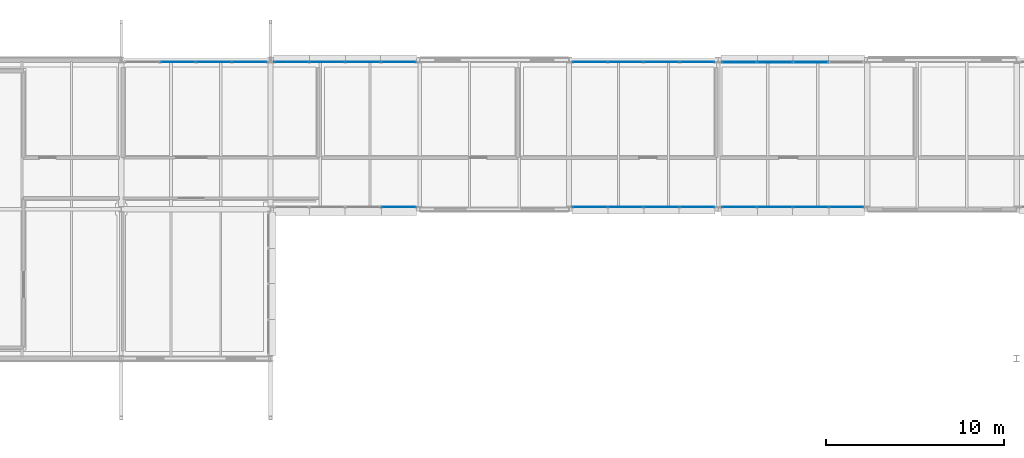
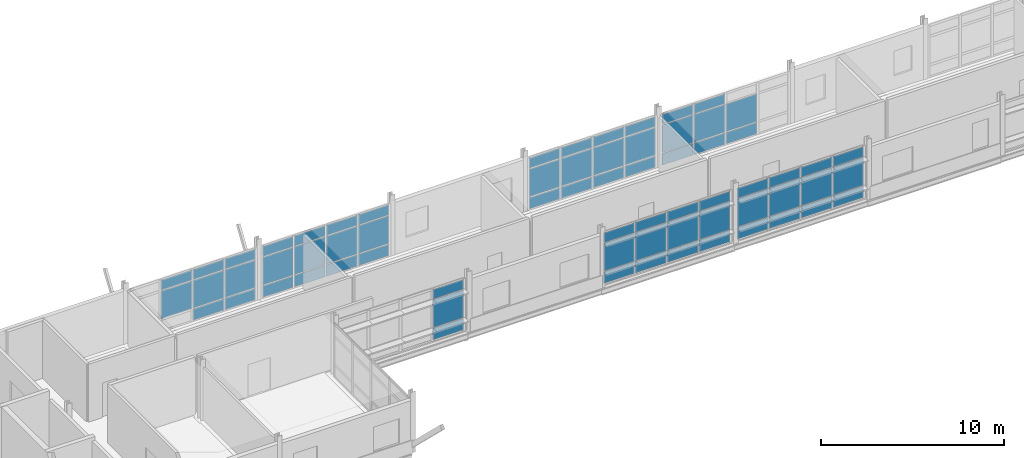
# One storey, part 42 of 57: 67 plates, 7 elements without a shape of their own.
"""IFC4 building model written with IfcOpenShell, lengths in metres."""

from ifc_helpers import new_model, si_unit, direction, frame, origin, origin_2d, place, context, subcontext, project, spatial, rectangle, extrude, material, layer, layer_set, type_object, element, aggregate, save


model = new_model("IFC4")

# Units and contexts
model_context = context("Model", 3, precision=1e-05, world=origin(), true_north=direction((0.0, 1.0)))
body_context = subcontext(model_context, "Body", "Model", "MODEL_VIEW")
ifc_project = project(units=[si_unit("LENGTHUNIT", "METRE"), si_unit("AREAUNIT", "SQUARE_METRE"), si_unit("VOLUMEUNIT", "CUBIC_METRE"), si_unit("PLANEANGLEUNIT", "RADIAN"), si_unit("MASSUNIT", "GRAM", prefix="KILO")], contexts=[model_context])

# Site, building, storey
site_placement = place(None, origin())
site = spatial("IfcSite", under=ifc_project, at=site_placement, CompositionType="ELEMENT")
building_placement = place(site_placement, origin())
building = spatial("IfcBuilding", under=site, at=building_placement, Name="Mersafa Astral City Hall", CompositionType="ELEMENT")
storey_placement = place(building_placement, frame((0.0, 0.0, 26.10009765625)))
storey = spatial("IfcBuildingStorey", under=building, at=storey_placement, Name="L06", CompositionType="ELEMENT", Elevation=26.10009765625)

# Curtain wall, plates
ifc_material_1 = material(Name="Anodised bronze aluminium framing", Category="aluminium")
curtain_wall_type_1 = type_object("IfcCurtainWallType", Name="ENV-CW-3", PredefinedType="USERDEFINED", material=ifc_material_1)
curtain_wall_1_placement = place(storey_placement, origin())
curtain_wall_1 = element("IfcCurtainWall", 1, at=curtain_wall_1_placement, inside=storey, type_object=curtain_wall_type_1, Name="L06 Unitised solar curtain wall 260", ObjectType="UNITISED CURTAIN WALL", PredefinedType="USERDEFINED")
ifc_material_2 = material(Name="Solar control low-e double glazing", Category="glass")
ifc_layer_1 = layer(ifc_material_2, 0.028076171875, Name="Solar control low-e double glazing")
ifc_layer_set_1 = layer_set([ifc_layer_1], Name="Solar control low-e double glazing — ENV-CW-PNL-GLZ-1")
plate_type_1 = type_object("IfcPlateType", Name="ENV-CW-PNL-GLZ-1", PredefinedType="CURTAIN_PANEL", material=ifc_layer_set_1)
plate_1_placement = place(storey_placement, frame((91.21337890625, 125.8798828125, 0.05810546875), z_axis=(0.0, 0.0, 1.0), x_axis=(-1.0, 0.0, 0.0)))
plate_1 = element("IfcPlate", 2, at=plate_1_placement, type_object=plate_type_1, Name="CW-3 panel 1.1", PredefinedType="CURTAIN_PANEL", context=body_context, shape_type="SweptSolid", body=[
    extrude(rectangle(XDim=1.928955078125, YDim=0.028076171875, at=origin_2d()), origin(), (0.0, 0.0, 1.0), 0.761962890625),
])
plate_2_placement = place(storey_placement, frame((91.21337890625, 125.8798828125, 0.8798828125), z_axis=(0.0, 0.0, 1.0), x_axis=(-1.0, 0.0, 0.0)))
plate_2 = element("IfcPlate", 3, at=plate_2_placement, type_object=plate_type_1, Name="CW-3 panel 1.2", PredefinedType="CURTAIN_PANEL", context=body_context, shape_type="SweptSolid", body=[
    extrude(rectangle(XDim=1.928955078125, YDim=0.028076171875, at=origin_2d()), origin(), (0.0, 0.0, 1.0), 1.840087890625),
])
plate_3_placement = place(storey_placement, frame((91.21337890625, 125.8798828125, 2.77978515625), z_axis=(0.0, 0.0, 1.0), x_axis=(-1.0, 0.0, 0.0)))
plate_3 = element("IfcPlate", 4, at=plate_3_placement, type_object=plate_type_1, Name="CW-3 panel 1.3", PredefinedType="CURTAIN_PANEL", context=body_context, shape_type="SweptSolid", body=[
    extrude(rectangle(XDim=1.928955078125, YDim=0.028076171875, at=origin_2d()), origin(), (0.0, 0.0, 1.0), 0.677001953125),
])
plate_4_placement = place(storey_placement, frame((89.20947265625, 125.8798828125, 0.05810546875), z_axis=(0.0, 0.0, 1.0), x_axis=(-1.0, 0.0, 0.0)))
plate_4 = element("IfcPlate", 5, at=plate_4_placement, type_object=plate_type_1, Name="CW-3 panel 2.1", PredefinedType="CURTAIN_PANEL", context=body_context, shape_type="SweptSolid", body=[
    extrude(rectangle(XDim=1.958984375, YDim=0.028076171875, at=origin_2d()), origin(), (0.0, 0.0, 1.0), 0.761962890625),
])
plate_5_placement = place(storey_placement, frame((89.20947265625, 125.8798828125, 0.8798828125), z_axis=(0.0, 0.0, 1.0), x_axis=(-1.0, 0.0, 0.0)))
plate_5 = element("IfcPlate", 6, at=plate_5_placement, type_object=plate_type_1, Name="CW-3 panel 2.2", PredefinedType="CURTAIN_PANEL", context=body_context, shape_type="SweptSolid", body=[
    extrude(rectangle(XDim=1.958984375, YDim=0.028076171875, at=origin_2d()), origin(), (0.0, 0.0, 1.0), 1.840087890625),
])
plate_6_placement = place(storey_placement, frame((89.20947265625, 125.8798828125, 2.77978515625), z_axis=(0.0, 0.0, 1.0), x_axis=(-1.0, 0.0, 0.0)))
plate_6 = element("IfcPlate", 7, at=plate_6_placement, type_object=plate_type_1, Name="CW-3 panel 2.3", PredefinedType="CURTAIN_PANEL", context=body_context, shape_type="SweptSolid", body=[
    extrude(rectangle(XDim=1.958984375, YDim=0.028076171875, at=origin_2d()), origin(), (0.0, 0.0, 1.0), 0.677001953125),
])
plate_7_placement = place(storey_placement, frame((87.1904296875, 125.8798828125, 0.05810546875), z_axis=(0.0, 0.0, 1.0), x_axis=(-1.0, 0.0, 0.0)))
plate_7 = element("IfcPlate", 8, at=plate_7_placement, type_object=plate_type_1, Name="CW-3 panel 3.1", PredefinedType="CURTAIN_PANEL", context=body_context, shape_type="SweptSolid", body=[
    extrude(rectangle(XDim=1.958984375, YDim=0.028076171875, at=origin_2d()), origin(), (0.0, 0.0, 1.0), 0.761962890625),
])
plate_8_placement = place(storey_placement, frame((87.1904296875, 125.8798828125, 0.8798828125), z_axis=(0.0, 0.0, 1.0), x_axis=(-1.0, 0.0, 0.0)))
plate_8 = element("IfcPlate", 9, at=plate_8_placement, type_object=plate_type_1, Name="CW-3 panel 3.2", PredefinedType="CURTAIN_PANEL", context=body_context, shape_type="SweptSolid", body=[
    extrude(rectangle(XDim=1.958984375, YDim=0.028076171875, at=origin_2d()), origin(), (0.0, 0.0, 1.0), 1.840087890625),
])
plate_9_placement = place(storey_placement, frame((87.1904296875, 125.8798828125, 2.77978515625), z_axis=(0.0, 0.0, 1.0), x_axis=(-1.0, 0.0, 0.0)))
plate_9 = element("IfcPlate", 10, at=plate_9_placement, type_object=plate_type_1, Name="CW-3 panel 3.3", PredefinedType="CURTAIN_PANEL", context=body_context, shape_type="SweptSolid", body=[
    extrude(rectangle(XDim=1.958984375, YDim=0.028076171875, at=origin_2d()), origin(), (0.0, 0.0, 1.0), 0.677001953125),
])
plate_10_placement = place(storey_placement, frame((85.1865234375, 125.8798828125, 0.05810546875), z_axis=(0.0, 0.0, 1.0), x_axis=(-1.0, 0.0, 0.0)))
plate_10 = element("IfcPlate", 11, at=plate_10_placement, type_object=plate_type_1, Name="CW-3 panel 4.1", PredefinedType="CURTAIN_PANEL", context=body_context, shape_type="SweptSolid", body=[
    extrude(rectangle(XDim=1.928955078125, YDim=0.028076171875, at=origin_2d()), origin(), (0.0, 0.0, 1.0), 0.761962890625),
])
plate_11_placement = place(storey_placement, frame((85.1865234375, 125.8798828125, 0.8798828125), z_axis=(0.0, 0.0, 1.0), x_axis=(-1.0, 0.0, 0.0)))
plate_11 = element("IfcPlate", 12, at=plate_11_placement, type_object=plate_type_1, Name="CW-3 panel 4.2", PredefinedType="CURTAIN_PANEL", context=body_context, shape_type="SweptSolid", body=[
    extrude(rectangle(XDim=1.928955078125, YDim=0.028076171875, at=origin_2d()), origin(), (0.0, 0.0, 1.0), 1.840087890625),
])
plate_12_placement = place(storey_placement, frame((85.1865234375, 125.8798828125, 2.77978515625), z_axis=(0.0, 0.0, 1.0), x_axis=(-1.0, 0.0, 0.0)))
plate_12 = element("IfcPlate", 13, at=plate_12_placement, type_object=plate_type_1, Name="CW-3 panel 4.3", PredefinedType="CURTAIN_PANEL", context=body_context, shape_type="SweptSolid", body=[
    extrude(rectangle(XDim=1.928955078125, YDim=0.028076171875, at=origin_2d()), origin(), (0.0, 0.0, 1.0), 0.677001953125),
])
aggregate(curtain_wall_1, [plate_1, plate_2, plate_3, plate_4, plate_5, plate_6, plate_7, plate_8, plate_9, plate_10, plate_11, plate_12])

curtain_wall_type_2 = type_object("IfcCurtainWallType", Name="ENV-CW-1", PredefinedType="USERDEFINED", material=ifc_material_1)
curtain_wall_2_placement = place(storey_placement, origin())
curtain_wall_2 = element("IfcCurtainWall", 14, at=curtain_wall_2_placement, inside=storey, type_object=curtain_wall_type_2, Name="L06 Unitised solar curtain wall 264", ObjectType="UNITISED CURTAIN WALL", PredefinedType="USERDEFINED")
plate_13_placement = place(storey_placement, frame((74.41357421875, 117.719970703125, 0.05810546875), z_axis=(0.0, 0.0, 1.0), x_axis=(1.0, 0.0, 0.0)))
plate_13 = element("IfcPlate", 15, at=plate_13_placement, type_object=plate_type_1, Name="CW-1 panel 4.1", PredefinedType="CURTAIN_PANEL", context=body_context, shape_type="SweptSolid", body=[
    extrude(rectangle(XDim=1.928955078125, YDim=0.028076171875, at=origin_2d()), origin(), (0.0, 0.0, 1.0), 0.761962890625),
])
plate_14_placement = place(storey_placement, frame((74.41357421875, 117.719970703125, 0.8798828125), z_axis=(0.0, 0.0, 1.0), x_axis=(1.0, 0.0, 0.0)))
plate_14 = element("IfcPlate", 16, at=plate_14_placement, type_object=plate_type_1, Name="CW-1 panel 4.2", PredefinedType="CURTAIN_PANEL", context=body_context, shape_type="SweptSolid", body=[
    extrude(rectangle(XDim=1.928955078125, YDim=0.028076171875, at=origin_2d()), origin(), (0.0, 0.0, 1.0), 1.840087890625),
])
plate_15_placement = place(storey_placement, frame((74.41357421875, 117.719970703125, 2.780029296875), z_axis=(0.0, 0.0, 1.0), x_axis=(1.0, 0.0, 0.0)))
plate_15 = element("IfcPlate", 17, at=plate_15_placement, type_object=plate_type_1, Name="CW-1 panel 4.3", PredefinedType="CURTAIN_PANEL", context=body_context, shape_type="SweptSolid", body=[
    extrude(rectangle(XDim=1.928955078125, YDim=0.028076171875, at=origin_2d()), origin(), (0.0, 0.0, 1.0), 0.64697265625),
])
aggregate(curtain_wall_2, [plate_13, plate_14, plate_15])

curtain_wall_type_3 = type_object("IfcCurtainWallType", Name="ENV-CW-4", PredefinedType="USERDEFINED", material=ifc_material_1)
curtain_wall_3_placement = place(storey_placement, origin())
curtain_wall_3 = element("IfcCurtainWall", 18, at=curtain_wall_3_placement, inside=storey, type_object=curtain_wall_type_3, Name="L06 Unitised solar curtain wall 261", ObjectType="UNITISED CURTAIN WALL", PredefinedType="USERDEFINED")
ifc_layer_2 = layer(ifc_material_2, 0.031982421875, Name="Solar control low-e double glazing")
ifc_layer_set_2 = layer_set([ifc_layer_2], Name="Solar control low-e double glazing — ENV-CW-PNL-GLZ-2")
plate_type_2 = type_object("IfcPlateType", Name="ENV-CW-PNL-GLZ-2", PredefinedType="CURTAIN_PANEL", material=ifc_layer_set_2)
plate_16_placement = place(storey_placement, frame((74.41357421875, 125.8798828125, 0.05810546875), z_axis=(0.0, 0.0, 1.0), x_axis=(-1.0, 0.0, 0.0)))
plate_16 = element("IfcPlate", 19, at=plate_16_placement, type_object=plate_type_2, Name="CW-4 panel 1.1", PredefinedType="CURTAIN_PANEL", context=body_context, shape_type="SweptSolid", body=[
    extrude(rectangle(XDim=1.928955078125, YDim=0.031982421875, at=origin_2d()), origin(), (0.0, 0.0, 1.0), 0.761962890625),
])
plate_17_placement = place(storey_placement, frame((74.41357421875, 125.8798828125, 0.8798828125), z_axis=(0.0, 0.0, 1.0), x_axis=(-1.0, 0.0, 0.0)))
plate_17 = element("IfcPlate", 20, at=plate_17_placement, type_object=plate_type_2, Name="CW-4 panel 1.2", PredefinedType="CURTAIN_PANEL", context=body_context, shape_type="SweptSolid", body=[
    extrude(rectangle(XDim=1.928955078125, YDim=0.031982421875, at=origin_2d()), origin(), (0.0, 0.0, 1.0), 1.840087890625),
])
plate_18_placement = place(storey_placement, frame((74.41357421875, 125.8798828125, 2.77978515625), z_axis=(0.0, 0.0, 1.0), x_axis=(-1.0, 0.0, 0.0)))
plate_18 = element("IfcPlate", 21, at=plate_18_placement, type_object=plate_type_2, Name="CW-4 panel 1.3", PredefinedType="CURTAIN_PANEL", context=body_context, shape_type="SweptSolid", body=[
    extrude(rectangle(XDim=1.928955078125, YDim=0.031982421875, at=origin_2d()), origin(), (0.0, 0.0, 1.0), 0.677001953125),
])
plate_19_placement = place(storey_placement, frame((72.409423828125, 125.8798828125, 0.05810546875), z_axis=(0.0, 0.0, 1.0), x_axis=(-1.0, 0.0, 0.0)))
plate_19 = element("IfcPlate", 22, at=plate_19_placement, type_object=plate_type_2, Name="CW-4 panel 2.1", PredefinedType="CURTAIN_PANEL", context=body_context, shape_type="SweptSolid", body=[
    extrude(rectangle(XDim=1.958984375, YDim=0.031982421875, at=origin_2d()), origin(), (0.0, 0.0, 1.0), 0.761962890625),
])
plate_20_placement = place(storey_placement, frame((72.409423828125, 125.8798828125, 0.8798828125), z_axis=(0.0, 0.0, 1.0), x_axis=(-1.0, 0.0, 0.0)))
plate_20 = element("IfcPlate", 23, at=plate_20_placement, type_object=plate_type_2, Name="CW-4 panel 2.2", PredefinedType="CURTAIN_PANEL", context=body_context, shape_type="SweptSolid", body=[
    extrude(rectangle(XDim=1.958984375, YDim=0.031982421875, at=origin_2d()), origin(), (0.0, 0.0, 1.0), 1.840087890625),
])
plate_21_placement = place(storey_placement, frame((72.409423828125, 125.8798828125, 2.77978515625), z_axis=(0.0, 0.0, 1.0), x_axis=(-1.0, 0.0, 0.0)))
plate_21 = element("IfcPlate", 24, at=plate_21_placement, type_object=plate_type_2, Name="CW-4 panel 2.3", PredefinedType="CURTAIN_PANEL", context=body_context, shape_type="SweptSolid", body=[
    extrude(rectangle(XDim=1.958984375, YDim=0.031982421875, at=origin_2d()), origin(), (0.0, 0.0, 1.0), 0.677001953125),
])
plate_22_placement = place(storey_placement, frame((70.390380859375, 125.8798828125, 0.05810546875), z_axis=(0.0, 0.0, 1.0), x_axis=(-1.0, 0.0, 0.0)))
plate_22 = element("IfcPlate", 25, at=plate_22_placement, type_object=plate_type_2, Name="CW-4 panel 3.1", PredefinedType="CURTAIN_PANEL", context=body_context, shape_type="SweptSolid", body=[
    extrude(rectangle(XDim=1.958984375, YDim=0.031982421875, at=origin_2d()), origin(), (0.0, 0.0, 1.0), 0.761962890625),
])
plate_23_placement = place(storey_placement, frame((70.390380859375, 125.8798828125, 0.8798828125), z_axis=(0.0, 0.0, 1.0), x_axis=(-1.0, 0.0, 0.0)))
plate_23 = element("IfcPlate", 26, at=plate_23_placement, type_object=plate_type_2, Name="CW-4 panel 3.2", PredefinedType="CURTAIN_PANEL", context=body_context, shape_type="SweptSolid", body=[
    extrude(rectangle(XDim=1.958984375, YDim=0.031982421875, at=origin_2d()), origin(), (0.0, 0.0, 1.0), 1.840087890625),
])
plate_24_placement = place(storey_placement, frame((70.390380859375, 125.8798828125, 2.77978515625), z_axis=(0.0, 0.0, 1.0), x_axis=(-1.0, 0.0, 0.0)))
plate_24 = element("IfcPlate", 27, at=plate_24_placement, type_object=plate_type_2, Name="CW-4 panel 3.3", PredefinedType="CURTAIN_PANEL", context=body_context, shape_type="SweptSolid", body=[
    extrude(rectangle(XDim=1.958984375, YDim=0.031982421875, at=origin_2d()), origin(), (0.0, 0.0, 1.0), 0.677001953125),
])
plate_25_placement = place(storey_placement, frame((68.386474609375, 125.8798828125, 0.05810546875), z_axis=(0.0, 0.0, 1.0), x_axis=(-1.0, 0.0, 0.0)))
plate_25 = element("IfcPlate", 28, at=plate_25_placement, type_object=plate_type_2, Name="CW-4 panel 4.1", PredefinedType="CURTAIN_PANEL", context=body_context, shape_type="SweptSolid", body=[
    extrude(rectangle(XDim=1.928955078125, YDim=0.031982421875, at=origin_2d()), origin(), (0.0, 0.0, 1.0), 0.761962890625),
])
plate_26_placement = place(storey_placement, frame((68.386474609375, 125.8798828125, 0.8798828125), z_axis=(0.0, 0.0, 1.0), x_axis=(-1.0, 0.0, 0.0)))
plate_26 = element("IfcPlate", 29, at=plate_26_placement, type_object=plate_type_2, Name="CW-4 panel 4.2", PredefinedType="CURTAIN_PANEL", context=body_context, shape_type="SweptSolid", body=[
    extrude(rectangle(XDim=1.928955078125, YDim=0.031982421875, at=origin_2d()), origin(), (0.0, 0.0, 1.0), 1.840087890625),
])
plate_27_placement = place(storey_placement, frame((68.386474609375, 125.8798828125, 2.77978515625), z_axis=(0.0, 0.0, 1.0), x_axis=(-1.0, 0.0, 0.0)))
plate_27 = element("IfcPlate", 30, at=plate_27_placement, type_object=plate_type_2, Name="CW-4 panel 4.3", PredefinedType="CURTAIN_PANEL", context=body_context, shape_type="SweptSolid", body=[
    extrude(rectangle(XDim=1.928955078125, YDim=0.031982421875, at=origin_2d()), origin(), (0.0, 0.0, 1.0), 0.677001953125),
])
aggregate(curtain_wall_3, [plate_16, plate_17, plate_18, plate_19, plate_20, plate_21, plate_22, plate_23, plate_24, plate_25, plate_26, plate_27])

curtain_wall_type_4 = type_object("IfcCurtainWallType", Name="ENV-CW-2", PredefinedType="USERDEFINED", material=ifc_material_1)
curtain_wall_4_placement = place(storey_placement, origin())
curtain_wall_4 = element("IfcCurtainWall", 31, at=curtain_wall_4_placement, inside=storey, type_object=curtain_wall_type_4, Name="L06 Unitised solar curtain wall 265", ObjectType="UNITISED CURTAIN WALL", PredefinedType="USERDEFINED")
plate_28_placement = place(storey_placement, frame((85.1865234375, 117.719970703125, 0.05810546875), z_axis=(0.0, 0.0, 1.0), x_axis=(1.0, 0.0, 0.0)))
plate_28 = element("IfcPlate", 32, at=plate_28_placement, type_object=plate_type_2, Name="CW-2 panel 1.1", PredefinedType="CURTAIN_PANEL", context=body_context, shape_type="SweptSolid", body=[
    extrude(rectangle(XDim=1.928955078125, YDim=0.031982421875, at=origin_2d()), origin(), (0.0, 0.0, 1.0), 0.761962890625),
])
plate_29_placement = place(storey_placement, frame((85.1865234375, 117.719970703125, 0.8798828125), z_axis=(0.0, 0.0, 1.0), x_axis=(1.0, 0.0, 0.0)))
plate_29 = element("IfcPlate", 33, at=plate_29_placement, type_object=plate_type_2, Name="CW-2 panel 1.2", PredefinedType="CURTAIN_PANEL", context=body_context, shape_type="SweptSolid", body=[
    extrude(rectangle(XDim=1.928955078125, YDim=0.031982421875, at=origin_2d()), origin(), (0.0, 0.0, 1.0), 1.840087890625),
])
plate_30_placement = place(storey_placement, frame((85.1865234375, 117.719970703125, 2.780029296875), z_axis=(0.0, 0.0, 1.0), x_axis=(1.0, 0.0, 0.0)))
plate_30 = element("IfcPlate", 34, at=plate_30_placement, type_object=plate_type_2, Name="CW-2 panel 1.3", PredefinedType="CURTAIN_PANEL", context=body_context, shape_type="SweptSolid", body=[
    extrude(rectangle(XDim=1.928955078125, YDim=0.031982421875, at=origin_2d()), origin(), (0.0, 0.0, 1.0), 0.64697265625),
])
plate_31_placement = place(storey_placement, frame((87.1904296875, 117.719970703125, 0.05810546875), z_axis=(0.0, 0.0, 1.0), x_axis=(1.0, 0.0, 0.0)))
plate_31 = element("IfcPlate", 35, at=plate_31_placement, type_object=plate_type_2, Name="CW-2 panel 2.1", PredefinedType="CURTAIN_PANEL", context=body_context, shape_type="SweptSolid", body=[
    extrude(rectangle(XDim=1.958984375, YDim=0.031982421875, at=origin_2d()), origin(), (0.0, 0.0, 1.0), 0.761962890625),
])
plate_32_placement = place(storey_placement, frame((87.1904296875, 117.719970703125, 0.8798828125), z_axis=(0.0, 0.0, 1.0), x_axis=(1.0, 0.0, 0.0)))
plate_32 = element("IfcPlate", 36, at=plate_32_placement, type_object=plate_type_2, Name="CW-2 panel 2.2", PredefinedType="CURTAIN_PANEL", context=body_context, shape_type="SweptSolid", body=[
    extrude(rectangle(XDim=1.958984375, YDim=0.031982421875, at=origin_2d()), origin(), (0.0, 0.0, 1.0), 1.840087890625),
])
plate_33_placement = place(storey_placement, frame((87.1904296875, 117.719970703125, 2.780029296875), z_axis=(0.0, 0.0, 1.0), x_axis=(1.0, 0.0, 0.0)))
plate_33 = element("IfcPlate", 37, at=plate_33_placement, type_object=plate_type_2, Name="CW-2 panel 2.3", PredefinedType="CURTAIN_PANEL", context=body_context, shape_type="SweptSolid", body=[
    extrude(rectangle(XDim=1.958984375, YDim=0.031982421875, at=origin_2d()), origin(), (0.0, 0.0, 1.0), 0.64697265625),
])
plate_34_placement = place(storey_placement, frame((89.20947265625, 117.719970703125, 0.05810546875), z_axis=(0.0, 0.0, 1.0), x_axis=(1.0, 0.0, 0.0)))
plate_34 = element("IfcPlate", 38, at=plate_34_placement, type_object=plate_type_2, Name="CW-2 panel 3.1", PredefinedType="CURTAIN_PANEL", context=body_context, shape_type="SweptSolid", body=[
    extrude(rectangle(XDim=1.958984375, YDim=0.031982421875, at=origin_2d()), origin(), (0.0, 0.0, 1.0), 0.761962890625),
])
plate_35_placement = place(storey_placement, frame((89.20947265625, 117.719970703125, 0.8798828125), z_axis=(0.0, 0.0, 1.0), x_axis=(1.0, 0.0, 0.0)))
plate_35 = element("IfcPlate", 39, at=plate_35_placement, type_object=plate_type_2, Name="CW-2 panel 3.2", PredefinedType="CURTAIN_PANEL", context=body_context, shape_type="SweptSolid", body=[
    extrude(rectangle(XDim=1.958984375, YDim=0.031982421875, at=origin_2d()), origin(), (0.0, 0.0, 1.0), 1.840087890625),
])
plate_36_placement = place(storey_placement, frame((89.20947265625, 117.719970703125, 2.780029296875), z_axis=(0.0, 0.0, 1.0), x_axis=(1.0, 0.0, 0.0)))
plate_36 = element("IfcPlate", 40, at=plate_36_placement, type_object=plate_type_2, Name="CW-2 panel 3.3", PredefinedType="CURTAIN_PANEL", context=body_context, shape_type="SweptSolid", body=[
    extrude(rectangle(XDim=1.958984375, YDim=0.031982421875, at=origin_2d()), origin(), (0.0, 0.0, 1.0), 0.64697265625),
])
plate_37_placement = place(storey_placement, frame((91.21337890625, 117.719970703125, 0.05810546875), z_axis=(0.0, 0.0, 1.0), x_axis=(1.0, 0.0, 0.0)))
plate_37 = element("IfcPlate", 41, at=plate_37_placement, type_object=plate_type_2, Name="CW-2 panel 4.1", PredefinedType="CURTAIN_PANEL", context=body_context, shape_type="SweptSolid", body=[
    extrude(rectangle(XDim=1.928955078125, YDim=0.031982421875, at=origin_2d()), origin(), (0.0, 0.0, 1.0), 0.761962890625),
])
plate_38_placement = place(storey_placement, frame((91.21337890625, 117.719970703125, 0.8798828125), z_axis=(0.0, 0.0, 1.0), x_axis=(1.0, 0.0, 0.0)))
plate_38 = element("IfcPlate", 42, at=plate_38_placement, type_object=plate_type_2, Name="CW-2 panel 4.2", PredefinedType="CURTAIN_PANEL", context=body_context, shape_type="SweptSolid", body=[
    extrude(rectangle(XDim=1.928955078125, YDim=0.031982421875, at=origin_2d()), origin(), (0.0, 0.0, 1.0), 1.840087890625),
])
plate_39_placement = place(storey_placement, frame((91.21337890625, 117.719970703125, 2.780029296875), z_axis=(0.0, 0.0, 1.0), x_axis=(1.0, 0.0, 0.0)))
plate_39 = element("IfcPlate", 43, at=plate_39_placement, type_object=plate_type_2, Name="CW-2 panel 4.3", PredefinedType="CURTAIN_PANEL", context=body_context, shape_type="SweptSolid", body=[
    extrude(rectangle(XDim=1.928955078125, YDim=0.031982421875, at=origin_2d()), origin(), (0.0, 0.0, 1.0), 0.64697265625),
])
aggregate(curtain_wall_4, [plate_28, plate_29, plate_30, plate_31, plate_32, plate_33, plate_34, plate_35, plate_36, plate_37, plate_38, plate_39])

curtain_wall_type_5 = type_object("IfcCurtainWallType", Name="ENV-CW-5", PredefinedType="USERDEFINED", material=ifc_material_1)
curtain_wall_5_placement = place(storey_placement, origin())
curtain_wall_5 = element("IfcCurtainWall", 44, at=curtain_wall_5_placement, inside=storey, type_object=curtain_wall_type_5, Name="L06 Unitised solar curtain wall 262", ObjectType="UNITISED CURTAIN WALL", PredefinedType="USERDEFINED")
ifc_layer_3 = layer(ifc_material_2, 0.035888671875, Name="Solar control low-e double glazing")
ifc_layer_set_3 = layer_set([ifc_layer_3], Name="Solar control low-e double glazing — ENV-CW-PNL-GLZ-3")
plate_type_3 = type_object("IfcPlateType", Name="ENV-CW-PNL-GLZ-3", PredefinedType="CURTAIN_PANEL", material=ifc_layer_set_3)
plate_40_placement = place(storey_placement, frame((66.013427734375, 125.8798828125, 0.05810546875), z_axis=(0.0, 0.0, 1.0), x_axis=(-1.0, 0.0, 0.0)))
plate_40 = element("IfcPlate", 45, at=plate_40_placement, type_object=plate_type_3, Name="CW-5 panel 1.1", PredefinedType="CURTAIN_PANEL", context=body_context, shape_type="SweptSolid", body=[
    extrude(rectangle(XDim=1.928955078125, YDim=0.035888671875, at=origin_2d()), origin(), (0.0, 0.0, 1.0), 0.761962890625),
])
plate_41_placement = place(storey_placement, frame((66.013427734375, 125.8798828125, 0.8798828125), z_axis=(0.0, 0.0, 1.0), x_axis=(-1.0, 0.0, 0.0)))
plate_41 = element("IfcPlate", 46, at=plate_41_placement, type_object=plate_type_3, Name="CW-5 panel 1.2", PredefinedType="CURTAIN_PANEL", context=body_context, shape_type="SweptSolid", body=[
    extrude(rectangle(XDim=1.928955078125, YDim=0.035888671875, at=origin_2d()), origin(), (0.0, 0.0, 1.0), 1.840087890625),
])
plate_42_placement = place(storey_placement, frame((66.013427734375, 125.8798828125, 2.77978515625), z_axis=(0.0, 0.0, 1.0), x_axis=(-1.0, 0.0, 0.0)))
plate_42 = element("IfcPlate", 47, at=plate_42_placement, type_object=plate_type_3, Name="CW-5 panel 1.3", PredefinedType="CURTAIN_PANEL", context=body_context, shape_type="SweptSolid", body=[
    extrude(rectangle(XDim=1.928955078125, YDim=0.035888671875, at=origin_2d()), origin(), (0.0, 0.0, 1.0), 0.672119140625),
])
plate_43_placement = place(storey_placement, frame((64.009521484375, 125.8798828125, 0.05810546875), z_axis=(0.0, 0.0, 1.0), x_axis=(-1.0, 0.0, 0.0)))
plate_43 = element("IfcPlate", 48, at=plate_43_placement, type_object=plate_type_3, Name="CW-5 panel 2.1", PredefinedType="CURTAIN_PANEL", context=body_context, shape_type="SweptSolid", body=[
    extrude(rectangle(XDim=1.958984375, YDim=0.035888671875, at=origin_2d()), origin(), (0.0, 0.0, 1.0), 0.761962890625),
])
plate_44_placement = place(storey_placement, frame((64.009521484375, 125.8798828125, 0.8798828125), z_axis=(0.0, 0.0, 1.0), x_axis=(-1.0, 0.0, 0.0)))
plate_44 = element("IfcPlate", 49, at=plate_44_placement, type_object=plate_type_3, Name="CW-5 panel 2.2", PredefinedType="CURTAIN_PANEL", context=body_context, shape_type="SweptSolid", body=[
    extrude(rectangle(XDim=1.958984375, YDim=0.035888671875, at=origin_2d()), origin(), (0.0, 0.0, 1.0), 1.840087890625),
])
plate_45_placement = place(storey_placement, frame((64.009521484375, 125.8798828125, 2.77978515625), z_axis=(0.0, 0.0, 1.0), x_axis=(-1.0, 0.0, 0.0)))
plate_45 = element("IfcPlate", 50, at=plate_45_placement, type_object=plate_type_3, Name="CW-5 panel 2.3", PredefinedType="CURTAIN_PANEL", context=body_context, shape_type="SweptSolid", body=[
    extrude(rectangle(XDim=1.958984375, YDim=0.035888671875, at=origin_2d()), origin(), (0.0, 0.0, 1.0), 0.672119140625),
])
plate_46_placement = place(storey_placement, frame((61.990478515625, 125.8798828125, 0.8798828125), z_axis=(0.0, 0.0, 1.0), x_axis=(-1.0, 0.0, 0.0)))
plate_46 = element("IfcPlate", 51, at=plate_46_placement, type_object=plate_type_3, Name="CW-5 panel 3.2", PredefinedType="CURTAIN_PANEL", context=body_context, shape_type="SweptSolid", body=[
    extrude(rectangle(XDim=1.958984375, YDim=0.035888671875, at=origin_2d()), origin(), (0.0, 0.0, 1.0), 1.840087890625),
])
plate_47_placement = place(storey_placement, frame((61.990478515625, 125.8798828125, 2.77978515625), z_axis=(0.0, 0.0, 1.0), x_axis=(-1.0, 0.0, 0.0)))
plate_47 = element("IfcPlate", 52, at=plate_47_placement, type_object=plate_type_3, Name="CW-5 panel 3.3", PredefinedType="CURTAIN_PANEL", context=body_context, shape_type="SweptSolid", body=[
    extrude(rectangle(XDim=1.958984375, YDim=0.035888671875, at=origin_2d()), origin(), (0.0, 0.0, 1.0), 0.672119140625),
])
aggregate(curtain_wall_5, [plate_40, plate_41, plate_42, plate_43, plate_44, plate_45, plate_46, plate_47])

curtain_wall_6_placement = place(storey_placement, origin())
curtain_wall_6 = element("IfcCurtainWall", 53, at=curtain_wall_6_placement, inside=storey, type_object=curtain_wall_type_1, Name="L06 Unitised solar curtain wall 266", ObjectType="UNITISED CURTAIN WALL", PredefinedType="USERDEFINED")
plate_48_placement = place(storey_placement, frame((93.58642578125, 117.719970703125, 0.05810546875), z_axis=(0.0, 0.0, 1.0), x_axis=(1.0, 0.0, 0.0)))
plate_48 = element("IfcPlate", 54, at=plate_48_placement, type_object=plate_type_3, Name="CW-3 panel 1.1", PredefinedType="CURTAIN_PANEL", context=body_context, shape_type="SweptSolid", body=[
    extrude(rectangle(XDim=1.928955078125, YDim=0.035888671875, at=origin_2d()), origin(), (0.0, 0.0, 1.0), 0.761962890625),
])
plate_49_placement = place(storey_placement, frame((93.58642578125, 117.719970703125, 0.8798828125), z_axis=(0.0, 0.0, 1.0), x_axis=(1.0, 0.0, 0.0)))
plate_49 = element("IfcPlate", 55, at=plate_49_placement, type_object=plate_type_3, Name="CW-3 panel 1.2", PredefinedType="CURTAIN_PANEL", context=body_context, shape_type="SweptSolid", body=[
    extrude(rectangle(XDim=1.928955078125, YDim=0.035888671875, at=origin_2d()), origin(), (0.0, 0.0, 1.0), 1.840087890625),
])
plate_50_placement = place(storey_placement, frame((93.58642578125, 117.719970703125, 2.77978515625), z_axis=(0.0, 0.0, 1.0), x_axis=(1.0, 0.0, 0.0)))
plate_50 = element("IfcPlate", 56, at=plate_50_placement, type_object=plate_type_3, Name="CW-3 panel 1.3", PredefinedType="CURTAIN_PANEL", context=body_context, shape_type="SweptSolid", body=[
    extrude(rectangle(XDim=1.928955078125, YDim=0.035888671875, at=origin_2d()), origin(), (0.0, 0.0, 1.0), 0.677001953125),
])
plate_51_placement = place(storey_placement, frame((95.590576171875, 117.719970703125, 0.05810546875), z_axis=(0.0, 0.0, 1.0), x_axis=(1.0, 0.0, 0.0)))
plate_51 = element("IfcPlate", 57, at=plate_51_placement, type_object=plate_type_3, Name="CW-3 panel 2.1", PredefinedType="CURTAIN_PANEL", context=body_context, shape_type="SweptSolid", body=[
    extrude(rectangle(XDim=1.958984375, YDim=0.035888671875, at=origin_2d()), origin(), (0.0, 0.0, 1.0), 0.761962890625),
])
plate_52_placement = place(storey_placement, frame((95.590576171875, 117.719970703125, 0.8798828125), z_axis=(0.0, 0.0, 1.0), x_axis=(1.0, 0.0, 0.0)))
plate_52 = element("IfcPlate", 58, at=plate_52_placement, type_object=plate_type_3, Name="CW-3 panel 2.2", PredefinedType="CURTAIN_PANEL", context=body_context, shape_type="SweptSolid", body=[
    extrude(rectangle(XDim=1.958984375, YDim=0.035888671875, at=origin_2d()), origin(), (0.0, 0.0, 1.0), 1.840087890625),
])
plate_53_placement = place(storey_placement, frame((95.590576171875, 117.719970703125, 2.77978515625), z_axis=(0.0, 0.0, 1.0), x_axis=(1.0, 0.0, 0.0)))
plate_53 = element("IfcPlate", 59, at=plate_53_placement, type_object=plate_type_3, Name="CW-3 panel 2.3", PredefinedType="CURTAIN_PANEL", context=body_context, shape_type="SweptSolid", body=[
    extrude(rectangle(XDim=1.958984375, YDim=0.035888671875, at=origin_2d()), origin(), (0.0, 0.0, 1.0), 0.677001953125),
])
plate_54_placement = place(storey_placement, frame((97.609619140625, 117.719970703125, 0.05810546875), z_axis=(0.0, 0.0, 1.0), x_axis=(1.0, 0.0, 0.0)))
plate_54 = element("IfcPlate", 60, at=plate_54_placement, type_object=plate_type_3, Name="CW-3 panel 3.1", PredefinedType="CURTAIN_PANEL", context=body_context, shape_type="SweptSolid", body=[
    extrude(rectangle(XDim=1.958984375, YDim=0.035888671875, at=origin_2d()), origin(), (0.0, 0.0, 1.0), 0.761962890625),
])
plate_55_placement = place(storey_placement, frame((97.609619140625, 117.719970703125, 0.8798828125), z_axis=(0.0, 0.0, 1.0), x_axis=(1.0, 0.0, 0.0)))
plate_55 = element("IfcPlate", 61, at=plate_55_placement, type_object=plate_type_3, Name="CW-3 panel 3.2", PredefinedType="CURTAIN_PANEL", context=body_context, shape_type="SweptSolid", body=[
    extrude(rectangle(XDim=1.958984375, YDim=0.035888671875, at=origin_2d()), origin(), (0.0, 0.0, 1.0), 1.840087890625),
])
plate_56_placement = place(storey_placement, frame((97.609619140625, 117.719970703125, 2.77978515625), z_axis=(0.0, 0.0, 1.0), x_axis=(1.0, 0.0, 0.0)))
plate_56 = element("IfcPlate", 62, at=plate_56_placement, type_object=plate_type_3, Name="CW-3 panel 3.3", PredefinedType="CURTAIN_PANEL", context=body_context, shape_type="SweptSolid", body=[
    extrude(rectangle(XDim=1.958984375, YDim=0.035888671875, at=origin_2d()), origin(), (0.0, 0.0, 1.0), 0.677001953125),
])
plate_57_placement = place(storey_placement, frame((99.613525390625, 117.719970703125, 0.05810546875), z_axis=(0.0, 0.0, 1.0), x_axis=(1.0, 0.0, 0.0)))
plate_57 = element("IfcPlate", 63, at=plate_57_placement, type_object=plate_type_3, Name="CW-3 panel 4.1", PredefinedType="CURTAIN_PANEL", context=body_context, shape_type="SweptSolid", body=[
    extrude(rectangle(XDim=1.928955078125, YDim=0.035888671875, at=origin_2d()), origin(), (0.0, 0.0, 1.0), 0.761962890625),
])
plate_58_placement = place(storey_placement, frame((99.613525390625, 117.719970703125, 0.8798828125), z_axis=(0.0, 0.0, 1.0), x_axis=(1.0, 0.0, 0.0)))
plate_58 = element("IfcPlate", 64, at=plate_58_placement, type_object=plate_type_3, Name="CW-3 panel 4.2", PredefinedType="CURTAIN_PANEL", context=body_context, shape_type="SweptSolid", body=[
    extrude(rectangle(XDim=1.928955078125, YDim=0.035888671875, at=origin_2d()), origin(), (0.0, 0.0, 1.0), 1.840087890625),
])
plate_59_placement = place(storey_placement, frame((99.613525390625, 117.719970703125, 2.77978515625), z_axis=(0.0, 0.0, 1.0), x_axis=(1.0, 0.0, 0.0)))
plate_59 = element("IfcPlate", 65, at=plate_59_placement, type_object=plate_type_3, Name="CW-3 panel 4.3", PredefinedType="CURTAIN_PANEL", context=body_context, shape_type="SweptSolid", body=[
    extrude(rectangle(XDim=1.928955078125, YDim=0.035888671875, at=origin_2d()), origin(), (0.0, 0.0, 1.0), 0.677001953125),
])
aggregate(curtain_wall_6, [plate_48, plate_49, plate_50, plate_51, plate_52, plate_53, plate_54, plate_55, plate_56, plate_57, plate_58, plate_59])

curtain_wall_7_placement = place(storey_placement, origin())
curtain_wall_7 = element("IfcCurtainWall", 66, at=curtain_wall_7_placement, inside=storey, type_object=curtain_wall_type_4, Name="L06 Unitised solar curtain wall 259", ObjectType="UNITISED CURTAIN WALL", PredefinedType="USERDEFINED")
ifc_layer_4 = layer(ifc_material_2, 0.0400390625, Name="Solar control low-e double glazing")
ifc_layer_set_4 = layer_set([ifc_layer_4], Name="Solar control low-e double glazing — ENV-CW-PNL-GLZ-4")
plate_type_4 = type_object("IfcPlateType", Name="ENV-CW-PNL-GLZ-4", PredefinedType="CURTAIN_PANEL", material=ifc_layer_set_4)
plate_60_placement = place(storey_placement, frame((97.609619140625, 125.8798828125, 0.05810546875), z_axis=(0.0, 0.0, 1.0), x_axis=(-1.0, 0.0, 0.0)))
plate_60 = element("IfcPlate", 67, at=plate_60_placement, type_object=plate_type_4, Name="CW-2 panel 2.1", PredefinedType="CURTAIN_PANEL", context=body_context, shape_type="SweptSolid", body=[
    extrude(rectangle(XDim=1.958984375, YDim=0.0400390625, at=origin_2d()), origin(), (0.0, 0.0, 1.0), 0.761962890625),
])
plate_61_placement = place(storey_placement, frame((97.609619140625, 125.8798828125, 0.8798828125), z_axis=(0.0, 0.0, 1.0), x_axis=(-1.0, 0.0, 0.0)))
plate_61 = element("IfcPlate", 68, at=plate_61_placement, type_object=plate_type_4, Name="CW-2 panel 2.2", PredefinedType="CURTAIN_PANEL", context=body_context, shape_type="SweptSolid", body=[
    extrude(rectangle(XDim=1.958984375, YDim=0.0400390625, at=origin_2d()), origin(), (0.0, 0.0, 1.0), 1.840087890625),
])
plate_62_placement = place(storey_placement, frame((95.590576171875, 125.8798828125, 0.05810546875), z_axis=(0.0, 0.0, 1.0), x_axis=(-1.0, 0.0, 0.0)))
plate_62 = element("IfcPlate", 69, at=plate_62_placement, type_object=plate_type_4, Name="CW-2 panel 3.1", PredefinedType="CURTAIN_PANEL", context=body_context, shape_type="SweptSolid", body=[
    extrude(rectangle(XDim=1.958984375, YDim=0.0400390625, at=origin_2d()), origin(), (0.0, 0.0, 1.0), 0.761962890625),
])
plate_63_placement = place(storey_placement, frame((95.590576171875, 125.8798828125, 0.8798828125), z_axis=(0.0, 0.0, 1.0), x_axis=(-1.0, 0.0, 0.0)))
plate_63 = element("IfcPlate", 70, at=plate_63_placement, type_object=plate_type_4, Name="CW-2 panel 3.2", PredefinedType="CURTAIN_PANEL", context=body_context, shape_type="SweptSolid", body=[
    extrude(rectangle(XDim=1.958984375, YDim=0.0400390625, at=origin_2d()), origin(), (0.0, 0.0, 1.0), 1.840087890625),
])
plate_64_placement = place(storey_placement, frame((95.590576171875, 125.8798828125, 2.780029296875), z_axis=(0.0, 0.0, 1.0), x_axis=(-1.0, 0.0, 0.0)))
plate_64 = element("IfcPlate", 71, at=plate_64_placement, type_object=plate_type_4, Name="CW-2 panel 3.3", PredefinedType="CURTAIN_PANEL", context=body_context, shape_type="SweptSolid", body=[
    extrude(rectangle(XDim=1.958984375, YDim=0.0400390625, at=origin_2d()), origin(), (0.0, 0.0, 1.0), 0.64697265625),
])
plate_65_placement = place(storey_placement, frame((93.58642578125, 125.8798828125, 0.05810546875), z_axis=(0.0, 0.0, 1.0), x_axis=(-1.0, 0.0, 0.0)))
plate_65 = element("IfcPlate", 72, at=plate_65_placement, type_object=plate_type_4, Name="CW-2 panel 4.1", PredefinedType="CURTAIN_PANEL", context=body_context, shape_type="SweptSolid", body=[
    extrude(rectangle(XDim=1.928955078125, YDim=0.0400390625, at=origin_2d()), origin(), (0.0, 0.0, 1.0), 0.761962890625),
])
plate_66_placement = place(storey_placement, frame((93.58642578125, 125.8798828125, 0.8798828125), z_axis=(0.0, 0.0, 1.0), x_axis=(-1.0, 0.0, 0.0)))
plate_66 = element("IfcPlate", 73, at=plate_66_placement, type_object=plate_type_4, Name="CW-2 panel 4.2", PredefinedType="CURTAIN_PANEL", context=body_context, shape_type="SweptSolid", body=[
    extrude(rectangle(XDim=1.928955078125, YDim=0.0400390625, at=origin_2d()), origin(), (0.0, 0.0, 1.0), 1.840087890625),
])
plate_67_placement = place(storey_placement, frame((93.58642578125, 125.8798828125, 2.780029296875), z_axis=(0.0, 0.0, 1.0), x_axis=(-1.0, 0.0, 0.0)))
plate_67 = element("IfcPlate", 74, at=plate_67_placement, type_object=plate_type_4, Name="CW-2 panel 4.3", PredefinedType="CURTAIN_PANEL", context=body_context, shape_type="SweptSolid", body=[
    extrude(rectangle(XDim=1.928955078125, YDim=0.0400390625, at=origin_2d()), origin(), (0.0, 0.0, 1.0), 0.64697265625),
])
aggregate(curtain_wall_7, [plate_60, plate_61, plate_62, plate_63, plate_64, plate_65, plate_66, plate_67])

save(model, "model.ifc")
